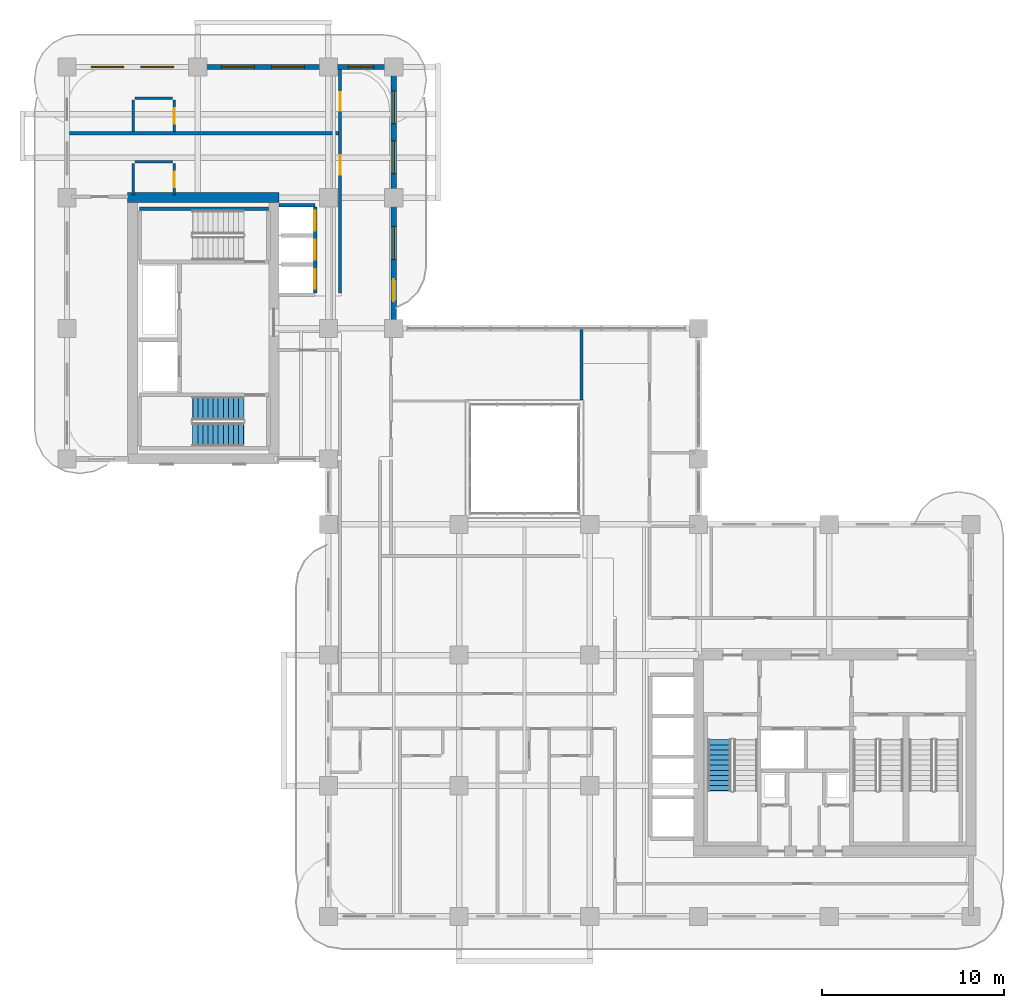
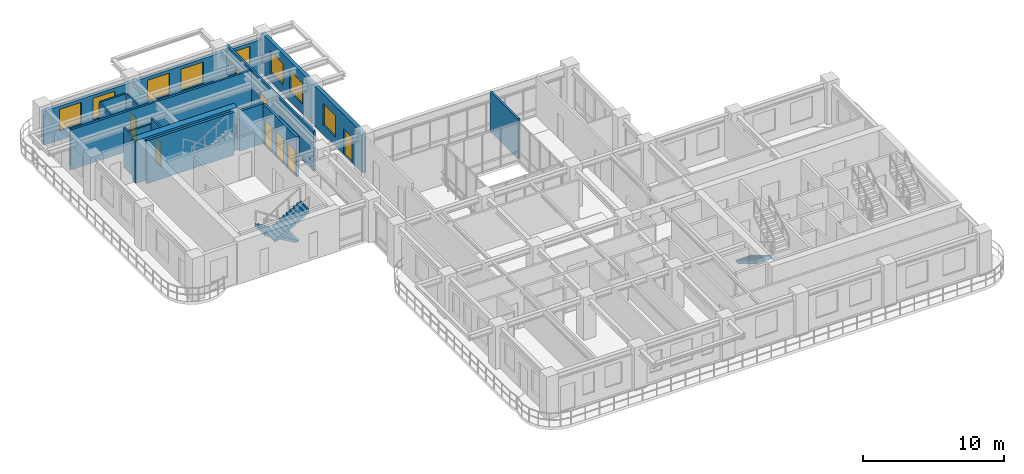
# One storey, part 15 of 20: 15 walls, 8 doors, 8 windows, 3 stair flights, 16 openings, 2 elements without a shape of their own.
"""IFC4 building model written with IfcOpenShell, lengths in metres."""

from ifc_helpers import new_model, si_unit, derived_unit, direction, frame, frame_2d, origin, place, context, subcontext, project, spatial, polyline, rectangle, outline, extrude, source, transform, mapped, material, layer, layer_set, type_object, type_shapes, element, fill, aggregate, save


model = new_model("IFC4")

# Units and contexts
model_context = context("Model", 3, precision=1e-05, world=origin(), true_north=direction((0.0, 1.0)))
body_context = subcontext(model_context, "Body", "Model", "MODEL_VIEW")
ifc_project = project(units=[si_unit("LENGTHUNIT", "METRE"), si_unit("AREAUNIT", "SQUARE_METRE"), si_unit("VOLUMEUNIT", "CUBIC_METRE"), si_unit("PLANEANGLEUNIT", "RADIAN"), si_unit("MASSUNIT", "GRAM", prefix="KILO"), si_unit("THERMODYNAMICTEMPERATUREUNIT", "KELVIN"), si_unit("POWERUNIT", "WATT"), derived_unit("THERMALTRANSMITTANCEUNIT", [(si_unit("POWERUNIT", "WATT"), 1), (si_unit("AREAUNIT", "SQUARE_METRE"), -1), (si_unit("THERMODYNAMICTEMPERATUREUNIT", "KELVIN"), -1)])], contexts=[model_context])

# Site, building, storey
site_placement = place(None, origin())
site = spatial("IfcSite", under=ifc_project, at=site_placement, CompositionType="ELEMENT")
building_placement = place(site_placement, origin())
building = spatial("IfcBuilding", under=site, at=building_placement, Name="Zahravan Archway Hotel and Residences", CompositionType="ELEMENT")
storey_placement = place(building_placement, frame((0.0, 0.0, 126.60009765625)))
storey = spatial("IfcBuildingStorey", under=building, at=storey_placement, Name="L31", CompositionType="ELEMENT", Elevation=126.60009765625)

# Wall
ifc_material_1 = material(Name="Concrete C70/85", Category="concrete")
ifc_layer_1 = layer(ifc_material_1, 0.550048828125, Name="Concrete C70/85", Category="concrete")
ifc_layer_set_1 = layer_set([ifc_layer_1], Name="Concrete C70/85")
wall_type_1 = type_object("IfcWallType", Name="CW-CORE-550", PredefinedType="SHEAR", material=ifc_layer_set_1)
wall_1_placement = place(storey_placement, frame((3.324951171875, 39.60009765625, 0.0), z_axis=(0.0, 0.0, 1.0), x_axis=(1.0, 0.0, 0.0)))
element("IfcWall", 1, at=wall_1_placement, inside=storey, type_object=wall_type_1, Name="L31 Core B Shear N Wall 550 mm", PredefinedType="SHEAR", context=body_context, shape_type="SweptSolid", body=[
    extrude(rectangle(XDim=8.35009765625, YDim=0.550048828125, at=frame_2d((4.175048828125, 0.0))), origin(), (0.0, 0.0, 1.0), 3.699951171875),
])

# Wall, openings, windows
ifc_material_2 = material(Name="Honed Red-Ochre Sandstone & Insulated Block", Category="masonry")
ifc_layer_2 = layer(ifc_material_2, 0.280029296875, Name="Honed Red-Ochre Sandstone & Insulated Block", Category="masonry")
ifc_layer_set_2 = layer_set([ifc_layer_2], Name="Honed Red-Ochre Sandstone & Insulated Block")
wall_type_2 = type_object("IfcWallType", Name="EW-LOG-280", PredefinedType="SOLIDWALL", material=ifc_layer_set_2)
wall_2_placement = place(storey_placement, frame((0.0, 46.800048828125, 0.0), z_axis=(0.0, 0.0, 1.0), x_axis=(1.0, 0.0, 0.0)))
wall_2 = element("IfcWall", 2, at=wall_2_placement, inside=storey, type_object=wall_type_2, Name="L31 Exterior Sandstone Wall WB-N", PredefinedType="SOLIDWALL", context=body_context, shape_type="SweptSolid", body=[
    extrude(rectangle(XDim=18.0, YDim=0.280029296875, at=frame_2d((9.0, 0.0))), origin(), (0.0, 0.0, 1.0), 2.934814453125),
])
opening_1_placement = place(wall_2_placement, frame((1.324951171875, 0.0, 0.800048828125)))
opening_1 = element("IfcOpeningElement", 3, at=opening_1_placement, cuts=wall_2, Name="Opening W-02", PredefinedType="OPENING", context=body_context, shape_type="SweptSolid", body=[
    extrude(rectangle(XDim=1.800048828125, YDim=1.85009765625, at=frame_2d((0.89990234375, 0.925048828125))), frame((0.0, 0.14990234375, 0.0), z_axis=(0.0, -1.0, 0.0), x_axis=(1.0, 0.0, 0.0)), (0.0, 0.0, 1.0), 0.300048828125),
])
opening_2_placement = place(wall_2_placement, frame((4.074951171875, 0.0, 0.800048828125)))
opening_2 = element("IfcOpeningElement", 4, at=opening_2_placement, cuts=wall_2, Name="Opening W-02", PredefinedType="OPENING", context=body_context, shape_type="SweptSolid", body=[
    extrude(rectangle(XDim=1.800048828125, YDim=1.85009765625, at=frame_2d((0.89990234375, 0.925048828125))), frame((0.0, 0.14990234375, 0.0), z_axis=(0.0, -1.0, 0.0), x_axis=(1.0, 0.0, 0.0)), (0.0, 0.0, 1.0), 0.300048828125),
])
opening_3_placement = place(wall_2_placement, frame((8.52490234375, 0.0, 0.800048828125)))
opening_3 = element("IfcOpeningElement", 5, at=opening_3_placement, cuts=wall_2, Name="Opening W-02", PredefinedType="OPENING", context=body_context, shape_type="SweptSolid", body=[
    extrude(rectangle(XDim=1.800048828125, YDim=1.85009765625, at=frame_2d((0.89990234375, 0.925048828125))), frame((0.0, 0.14990234375, 0.0), z_axis=(0.0, -1.0, 0.0), x_axis=(1.0, 0.0, 0.0)), (0.0, 0.0, 1.0), 0.300048828125),
])
opening_4_placement = place(wall_2_placement, frame((11.27490234375, 0.0, 0.800048828125)))
opening_4 = element("IfcOpeningElement", 6, at=opening_4_placement, cuts=wall_2, Name="Opening W-02", PredefinedType="OPENING", context=body_context, shape_type="SweptSolid", body=[
    extrude(rectangle(XDim=1.800048828125, YDim=1.85009765625, at=frame_2d((0.89990234375, 0.925048828125))), frame((0.0, 0.14990234375, 0.0), z_axis=(0.0, -1.0, 0.0), x_axis=(1.0, 0.0, 0.0)), (0.0, 0.0, 1.0), 0.300048828125),
])
opening_5_placement = place(wall_2_placement, frame((15.5, 0.0, 0.800048828125)))
opening_5 = element("IfcOpeningElement", 7, at=opening_5_placement, cuts=wall_2, Name="Opening W-03", PredefinedType="OPENING", context=body_context, shape_type="SweptSolid", body=[
    extrude(rectangle(XDim=1.39990234375, YDim=1.85009765625, at=frame_2d((0.699951171875, 0.925048828125))), frame((0.0, 0.14990234375, 0.0), z_axis=(0.0, -1.0, 0.0), x_axis=(1.0, 0.0, 0.0)), (0.0, 0.0, 1.0), 0.300048828125),
])
ifc_material_3 = material(Name="Bronze-Anodized Thermal-Break Aluminium & Low-E Glass", Category="aluminium")
window_type_1 = type_object("IfcWindowType", Name="WIN-TWR-1400", PartitioningType="SINGLE_PANEL", PredefinedType="WINDOW", material=ifc_material_3)
shared_shape_1 = source(origin(), body_context, "Body", "SweptSolid", [
    extrude(rectangle(XDim=1.39990234375, YDim=1.85009765625, at=frame_2d((0.699951171875, 0.925048828125))), frame((0.0, 0.030029296875, 0.0), z_axis=(0.0, -1.0, 0.0), x_axis=(1.0, 0.0, 0.0)), (0.0, 0.0, 1.0), 0.06005859375),
])
type_shapes(window_type_1, [shared_shape_1])
window_1_placement = place(opening_5_placement, origin())
window_1 = element("IfcWindow", 8, at=window_1_placement, inside=storey, type_object=window_type_1, Name="L31 Loggia Window 31", OverallHeight=1.85009765625, OverallWidth=1.39990234375, PartitioningType="SINGLE_PANEL", PredefinedType="WINDOW", context=body_context, shape_type="MappedRepresentation", body=[
    mapped(shared_shape_1, transform((0.0, 0.0, 0.0), scale=1.0)),
])
fill(opening_5, window_1)
window_type_2 = type_object("IfcWindowType", Name="WIN-TWR-1800", PartitioningType="DOUBLE_PANEL_VERTICAL", PredefinedType="WINDOW", material=ifc_material_3)
shared_shape_2 = source(origin(), body_context, "Body", "SweptSolid", [
    extrude(rectangle(XDim=1.800048828125, YDim=1.85009765625, at=frame_2d((0.89990234375, 0.925048828125))), frame((0.0, 0.030029296875, 0.0), z_axis=(0.0, -1.0, 0.0), x_axis=(1.0, 0.0, 0.0)), (0.0, 0.0, 1.0), 0.06005859375),
])
type_shapes(window_type_2, [shared_shape_2])
window_2_placement = place(opening_1_placement, origin())
window_2 = element("IfcWindow", 9, at=window_2_placement, inside=storey, type_object=window_type_2, Name="L31 Loggia Window 27", OverallHeight=1.85009765625, OverallWidth=1.800048828125, PartitioningType="DOUBLE_PANEL_VERTICAL", PredefinedType="WINDOW", context=body_context, shape_type="MappedRepresentation", body=[
    mapped(shared_shape_2, transform((0.0, 0.0, 0.0), scale=1.0)),
])
fill(opening_1, window_2)
window_3_placement = place(opening_2_placement, origin())
window_3 = element("IfcWindow", 10, at=window_3_placement, inside=storey, type_object=window_type_2, Name="L31 Loggia Window 28", OverallHeight=1.85009765625, OverallWidth=1.800048828125, PartitioningType="DOUBLE_PANEL_VERTICAL", PredefinedType="WINDOW", context=body_context, shape_type="MappedRepresentation", body=[
    mapped(shared_shape_2, transform((0.0, 0.0, 0.0), scale=1.0)),
])
fill(opening_2, window_3)
window_4_placement = place(opening_3_placement, origin())
window_4 = element("IfcWindow", 11, at=window_4_placement, inside=storey, type_object=window_type_2, Name="L31 Loggia Window 29", OverallHeight=1.85009765625, OverallWidth=1.800048828125, PartitioningType="DOUBLE_PANEL_VERTICAL", PredefinedType="WINDOW", context=body_context, shape_type="MappedRepresentation", body=[
    mapped(shared_shape_2, transform((0.0, 0.0, 0.0), scale=1.0)),
])
fill(opening_3, window_4)
window_5_placement = place(opening_4_placement, origin())
window_5 = element("IfcWindow", 12, at=window_5_placement, inside=storey, type_object=window_type_2, Name="L31 Loggia Window 30", OverallHeight=1.85009765625, OverallWidth=1.800048828125, PartitioningType="DOUBLE_PANEL_VERTICAL", PredefinedType="WINDOW", context=body_context, shape_type="MappedRepresentation", body=[
    mapped(shared_shape_2, transform((0.0, 0.0, 0.0), scale=1.0)),
])
fill(opening_4, window_5)

# Wall, openings, door, windows
wall_3_placement = place(storey_placement, frame((18.0, 32.39990234375, 0.0), z_axis=(0.0, 0.0, 1.0), x_axis=(0.0, 1.0, 0.0)))
wall_3 = element("IfcWall", 13, at=wall_3_placement, inside=storey, type_object=wall_type_2, Name="L31 Exterior Sandstone Wall WB-EU", PredefinedType="SOLIDWALL", context=body_context, shape_type="SweptSolid", body=[
    extrude(rectangle(XDim=14.35009765625, YDim=0.280029296875, at=frame_2d((7.175048828125, 0.0))), origin(), (0.0, 0.0, 1.0), 3.449951171875),
])
opening_6_placement = place(wall_3_placement, frame((1.5, 0.0, 0.0)))
opening_6 = element("IfcOpeningElement", 14, at=opening_6_placement, cuts=wall_3, Name="Opening ED-BL1", PredefinedType="OPENING", context=body_context, shape_type="SweptSolid", body=[
    extrude(rectangle(XDim=1.199951171875, YDim=2.199951171875, at=frame_2d((0.60009765625, 1.10009765625))), frame((0.0, 0.14990234375, 0.0), z_axis=(0.0, -1.0, 0.0), x_axis=(1.0, 0.0, 0.0)), (0.0, 0.0, 1.0), 0.300048828125),
])
opening_7_placement = place(wall_3_placement, frame((3.800048828125, 0.0, 0.800048828125)))
opening_7 = element("IfcOpeningElement", 15, at=opening_7_placement, cuts=wall_3, Name="Opening W-02", PredefinedType="OPENING", context=body_context, shape_type="SweptSolid", body=[
    extrude(rectangle(XDim=1.800048828125, YDim=1.85009765625, at=frame_2d((0.89990234375, 0.925048828125))), frame((0.0, 0.14990234375, 0.0), z_axis=(0.0, -1.0, 0.0), x_axis=(1.0, 0.0, 0.0)), (0.0, 0.0, 1.0), 0.300048828125),
])
opening_8_placement = place(wall_3_placement, frame((8.52490234375, 0.0, 0.800048828125)))
opening_8 = element("IfcOpeningElement", 16, at=opening_8_placement, cuts=wall_3, Name="Opening W-02", PredefinedType="OPENING", context=body_context, shape_type="SweptSolid", body=[
    extrude(rectangle(XDim=1.800048828125, YDim=1.85009765625, at=frame_2d((0.89990234375, 0.925048828125))), frame((0.0, 0.14990234375, 0.0), z_axis=(0.0, -1.0, 0.0), x_axis=(1.0, 0.0, 0.0)), (0.0, 0.0, 1.0), 0.300048828125),
])
opening_9_placement = place(wall_3_placement, frame((11.27490234375, 0.0, 0.800048828125)))
opening_9 = element("IfcOpeningElement", 17, at=opening_9_placement, cuts=wall_3, Name="Opening W-02", PredefinedType="OPENING", context=body_context, shape_type="SweptSolid", body=[
    extrude(rectangle(XDim=1.800048828125, YDim=1.85009765625, at=frame_2d((0.89990234375, 0.925048828125))), frame((0.0, 0.14990234375, 0.0), z_axis=(0.0, -1.0, 0.0), x_axis=(1.0, 0.0, 0.0)), (0.0, 0.0, 1.0), 0.300048828125),
])
ifc_material_4 = material(Name="Bronze-Anodized Glazed Aluminium", Category="aluminium")
door_type_1 = type_object("IfcDoorType", Name="ED-BALC-1200", OperationType="SLIDING_TO_LEFT", PredefinedType="DOOR", material=ifc_material_4)
shared_shape_3 = source(origin(), body_context, "Body", "SweptSolid", [
    extrude(rectangle(XDim=1.199951171875, YDim=2.199951171875, at=frame_2d((0.60009765625, 1.10009765625))), frame((0.0, 0.02490234375, 0.0), z_axis=(0.0, -1.0, 0.0), x_axis=(1.0, 0.0, 0.0)), (0.0, 0.0, 1.0), 0.050048828125),
])
type_shapes(door_type_1, [shared_shape_3])
door_1_placement = place(opening_6_placement, origin())
door_1 = element("IfcDoor", 18, at=door_1_placement, inside=storey, type_object=door_type_1, Name="L31 Outdoor Access Sliding Door (SLB-BAL-L31-EB)", OperationType="SLIDING_TO_LEFT", OverallHeight=2.199951171875, OverallWidth=1.199951171875, PredefinedType="DOOR", context=body_context, shape_type="MappedRepresentation", body=[
    mapped(shared_shape_3, transform((0.0, 0.0, 0.0), scale=1.0)),
])
fill(opening_6, door_1)
window_6_placement = place(opening_7_placement, origin())
window_6 = element("IfcWindow", 19, at=window_6_placement, inside=storey, type_object=window_type_2, Name="L31 Loggia Window 32", OverallHeight=1.85009765625, OverallWidth=1.800048828125, PartitioningType="DOUBLE_PANEL_VERTICAL", PredefinedType="WINDOW", context=body_context, shape_type="MappedRepresentation", body=[
    mapped(shared_shape_2, transform((0.0, 0.0, 0.0), scale=1.0)),
])
fill(opening_7, window_6)
window_7_placement = place(opening_8_placement, origin())
window_7 = element("IfcWindow", 20, at=window_7_placement, inside=storey, type_object=window_type_2, Name="L31 Loggia Window 33", OverallHeight=1.85009765625, OverallWidth=1.800048828125, PartitioningType="DOUBLE_PANEL_VERTICAL", PredefinedType="WINDOW", context=body_context, shape_type="MappedRepresentation", body=[
    mapped(shared_shape_2, transform((0.0, 0.0, 0.0), scale=1.0)),
])
fill(opening_8, window_7)
window_8_placement = place(opening_9_placement, origin())
window_8 = element("IfcWindow", 21, at=window_8_placement, inside=storey, type_object=window_type_2, Name="L31 Loggia Window 34", OverallHeight=1.85009765625, OverallWidth=1.800048828125, PartitioningType="DOUBLE_PANEL_VERTICAL", PredefinedType="WINDOW", context=body_context, shape_type="MappedRepresentation", body=[
    mapped(shared_shape_2, transform((0.0, 0.0, 0.0), scale=1.0)),
])
fill(opening_9, window_8)

# Wall, openings, doors
ifc_material_5 = material(Name="Fire-Rated Gypsum & Concrete Block", Category="concrete")
ifc_layer_3 = layer(ifc_material_5, 0.159912109375, Name="Fire-Rated Gypsum & Concrete Block", Category="concrete")
ifc_layer_set_3 = layer_set([ifc_layer_3], Name="Fire-Rated Gypsum & Concrete Block")
wall_type_3 = type_object("IfcWallType", Name="PW-CORR-160", PredefinedType="PARTITIONING", material=ifc_layer_set_3)
wall_4_placement = place(storey_placement, frame((15.050048828125, 34.340087890625, 0.0), z_axis=(0.0, 0.0, 1.0), x_axis=(0.0, 1.0, 0.0)))
wall_4 = element("IfcWall", 22, at=wall_4_placement, inside=storey, type_object=wall_type_3, Name="L31 Partition WBN-C", PredefinedType="PARTITIONING", context=body_context, shape_type="SweptSolid", body=[
    extrude(rectangle(XDim=12.31201171875, YDim=0.159912109375, at=frame_2d((6.156005859375, 0.0))), origin(), (0.0, 0.0, 1.0), 3.449951171875),
])
opening_10_placement = place(wall_4_placement, frame((6.534912109375, 0.0, 0.0)))
opening_10 = element("IfcOpeningElement", 23, at=opening_10_placement, cuts=wall_4, Name="Opening D-U1", PredefinedType="OPENING", context=body_context, shape_type="SweptSolid", body=[
    extrude(rectangle(XDim=1.050048828125, YDim=2.25, at=frame_2d((0.52490234375, 1.125))), frame((0.0, 0.08984375, 0.0), z_axis=(0.0, -1.0, 0.0), x_axis=(1.0, 0.0, 0.0)), (0.0, 0.0, 1.0), 0.179931640625),
])
opening_11_placement = place(wall_4_placement, frame((10.06005859375, 0.0, 0.0)))
opening_11 = element("IfcOpeningElement", 24, at=opening_11_placement, cuts=wall_4, Name="Opening D-U2", PredefinedType="OPENING", context=body_context, shape_type="SweptSolid", body=[
    extrude(rectangle(XDim=1.0, YDim=2.199951171875, at=frame_2d((0.5, 1.10009765625))), frame((0.0, 0.08984375, 0.0), z_axis=(0.0, -1.0, 0.0), x_axis=(1.0, 0.0, 0.0)), (0.0, 0.0, 1.0), 0.179931640625),
])
ifc_material_6 = material(Name="Hardwood Veneer Timber", Category="wood")
door_type_2 = type_object("IfcDoorType", Name="ID-UNIT-1050", OperationType="NOTDEFINED", PredefinedType="DOOR", material=ifc_material_6)
shared_shape_4 = source(origin(), body_context, "Body", "SweptSolid", [
    extrude(rectangle(XDim=1.050048828125, YDim=2.25, at=frame_2d((0.52490234375, 1.125))), frame((0.0, 0.02490234375, 0.0), z_axis=(0.0, -1.0, 0.0), x_axis=(1.0, 0.0, 0.0)), (0.0, 0.0, 1.0), 0.050048828125),
])
type_shapes(door_type_2, [shared_shape_4])
door_2_placement = place(opening_10_placement, origin())
door_2 = element("IfcDoor", 25, at=door_2_placement, inside=storey, type_object=door_type_2, Name="L31 Hotel Guestroom 76 Entrance Door", OperationType="SINGLE_SWING_RIGHT", OverallHeight=2.25, OverallWidth=1.050048828125, PredefinedType="DOOR", context=body_context, shape_type="MappedRepresentation", body=[
    mapped(shared_shape_4, transform((0.0, 0.0, 0.0), scale=1.0)),
])
fill(opening_10, door_2)
door_type_3 = type_object("IfcDoorType", Name="ID-UNIT-1000", OperationType="NOTDEFINED", PredefinedType="DOOR", material=ifc_material_6)
shared_shape_5 = source(origin(), body_context, "Body", "SweptSolid", [
    extrude(rectangle(XDim=1.0, YDim=2.199951171875, at=frame_2d((0.5, 1.10009765625))), frame((0.0, 0.02490234375, 0.0), z_axis=(0.0, -1.0, 0.0), x_axis=(1.0, 0.0, 0.0)), (0.0, 0.0, 1.0), 0.050048828125),
])
type_shapes(door_type_3, [shared_shape_5])
door_3_placement = place(opening_11_placement, origin())
door_3 = element("IfcDoor", 26, at=door_3_placement, inside=storey, type_object=door_type_3, Name="L31 Hotel Guestroom 77 Entrance Door", OperationType="SINGLE_SWING_LEFT", OverallHeight=2.199951171875, OverallWidth=1.0, PredefinedType="DOOR", context=body_context, shape_type="MappedRepresentation", body=[
    mapped(shared_shape_5, transform((0.0, 0.0, 0.0), scale=1.0)),
])
fill(opening_11, door_3)

# Walls
wall_5_placement = place(storey_placement, frame((28.35009765625, 28.43994140625, 0.0), z_axis=(0.0, 0.0, 1.0), x_axis=(0.0, 1.0, 0.0)))
element("IfcWall", 27, at=wall_5_placement, inside=storey, type_object=wall_type_3, Name="L31 Partition ATR-NWE", PredefinedType="PARTITIONING", context=body_context, shape_type="SweptSolid", body=[
    extrude(rectangle(XDim=3.93212890625, YDim=0.159912109375, at=frame_2d((1.966064453125, 0.0))), origin(), (0.0, 0.0, 1.0), 3.449951171875),
])
ifc_layer_4 = layer(ifc_material_5, 0.199951171875, Name="Fire-Rated Gypsum & Concrete Block", Category="concrete")
ifc_layer_set_4 = layer_set([ifc_layer_4], Name="Fire-Rated Gypsum & Concrete Block")
wall_type_4 = type_object("IfcWallType", Name="PW-SHAFT-200", PredefinedType="PARTITIONING", material=ifc_layer_set_4)
wall_6_placement = place(storey_placement, frame((11.68505859375, 39.18994140625, 0.0), z_axis=(0.0, 0.0, 1.0), x_axis=(1.0, 0.0, 0.0)))
element("IfcWall", 28, at=wall_6_placement, inside=storey, type_object=wall_type_4, Name="L31 Partition B2-N", PredefinedType="PARTITIONING", context=body_context, shape_type="SweptSolid", body=[
    extrude(rectangle(XDim=1.98486328125, YDim=0.199951171875, at=frame_2d((0.992431640625, 0.0))), origin(), (0.0, 0.0, 1.0), 3.449951171875),
])

# Wall, openings, doors
wall_7_placement = place(storey_placement, frame((13.679931640625, 34.360107421875, 0.0), z_axis=(0.0, 0.0, 1.0), x_axis=(0.0, 1.0, 0.0)))
wall_7 = element("IfcWall", 29, at=wall_7_placement, inside=storey, type_object=wall_type_4, Name="L31 Partition B2-E", PredefinedType="PARTITIONING", context=body_context, shape_type="SweptSolid", body=[
    extrude(rectangle(XDim=4.719970703125, YDim=0.199951171875, at=frame_2d((2.35986328125, 0.0))), origin(), (0.0, 0.0, 1.0), 3.449951171875),
])
opening_12_placement = place(wall_7_placement, frame((0.2099609375, 0.0, 0.0)))
opening_12 = element("IfcOpeningElement", 30, at=opening_12_placement, cuts=wall_7, Name="Opening LD", PredefinedType="OPENING", context=body_context, shape_type="SweptSolid", body=[
    extrude(rectangle(XDim=1.10009765625, YDim=2.199951171875, at=frame_2d((0.550048828125, 1.10009765625))), frame((0.0, 0.10986328125, 0.0), z_axis=(0.0, -1.0, 0.0), x_axis=(1.0, 0.0, 0.0)), (0.0, 0.0, 1.0), 0.219970703125),
])
opening_13_placement = place(wall_7_placement, frame((1.81005859375, 0.0, 0.0)))
opening_13 = element("IfcOpeningElement", 31, at=opening_13_placement, cuts=wall_7, Name="Opening LD", PredefinedType="OPENING", context=body_context, shape_type="SweptSolid", body=[
    extrude(rectangle(XDim=1.10009765625, YDim=2.199951171875, at=frame_2d((0.550048828125, 1.10009765625))), frame((0.0, 0.10986328125, 0.0), z_axis=(0.0, -1.0, 0.0), x_axis=(1.0, 0.0, 0.0)), (0.0, 0.0, 1.0), 0.219970703125),
])
opening_14_placement = place(wall_7_placement, frame((3.409912109375, 0.0, 0.0)))
opening_14 = element("IfcOpeningElement", 32, at=opening_14_placement, cuts=wall_7, Name="Opening LD", PredefinedType="OPENING", context=body_context, shape_type="SweptSolid", body=[
    extrude(rectangle(XDim=1.10009765625, YDim=2.199951171875, at=frame_2d((0.550048828125, 1.10009765625))), frame((0.0, 0.10986328125, 0.0), z_axis=(0.0, -1.0, 0.0), x_axis=(1.0, 0.0, 0.0)), (0.0, 0.0, 1.0), 0.219970703125),
])
ifc_material_7 = material(Name="Brushed Stainless Steel", Category="steel")
door_type_4 = type_object("IfcDoorType", Name="DR-LIFT-LD", OperationType="SLIDING_TO_LEFT", PredefinedType="DOOR", material=ifc_material_7)
shared_shape_6 = source(origin(), body_context, "Body", "SweptSolid", [
    extrude(rectangle(XDim=1.10009765625, YDim=2.199951171875, at=frame_2d((0.550048828125, 1.10009765625))), frame((0.0, 0.02490234375, 0.0), z_axis=(0.0, -1.0, 0.0), x_axis=(1.0, 0.0, 0.0)), (0.0, 0.0, 1.0), 0.050048828125),
])
type_shapes(door_type_4, [shared_shape_6])
door_4_placement = place(opening_12_placement, origin())
door_4 = element("IfcDoor", 33, at=door_4_placement, inside=storey, type_object=door_type_4, Name="L31 Lift LP-4 Sliding Landing Door", OperationType="SLIDING_TO_LEFT", OverallHeight=2.199951171875, OverallWidth=1.10009765625, PredefinedType="DOOR", context=body_context, shape_type="MappedRepresentation", body=[
    mapped(shared_shape_6, transform((0.0, 0.0, 0.0), scale=1.0)),
])
fill(opening_12, door_4)
door_5_placement = place(opening_13_placement, origin())
door_5 = element("IfcDoor", 34, at=door_5_placement, inside=storey, type_object=door_type_4, Name="L31 Lift LP-5 Sliding Landing Door", OperationType="SLIDING_TO_LEFT", OverallHeight=2.199951171875, OverallWidth=1.10009765625, PredefinedType="DOOR", context=body_context, shape_type="MappedRepresentation", body=[
    mapped(shared_shape_6, transform((0.0, 0.0, 0.0), scale=1.0)),
])
fill(opening_13, door_5)
door_6_placement = place(opening_14_placement, origin())
door_6 = element("IfcDoor", 35, at=door_6_placement, inside=storey, type_object=door_type_4, Name="L31 Lift LP-6 Sliding Landing Door", OperationType="SLIDING_TO_LEFT", OverallHeight=2.199951171875, OverallWidth=1.10009765625, PredefinedType="DOOR", context=body_context, shape_type="MappedRepresentation", body=[
    mapped(shared_shape_6, transform((0.0, 0.0, 0.0), scale=1.0)),
])
fill(opening_14, door_6)

# Walls
ifc_material_8 = material(Name="Acoustic Stud Partition")
ifc_layer_5 = layer(ifc_material_8, 0.169921875, Name="Acoustic Stud Partition")
ifc_layer_set_5 = layer_set([ifc_layer_5], Name="Acoustic Stud Partition")
wall_type_5 = type_object("IfcWallType", Name="PW-UNIT-170", PredefinedType="PARTITIONING", material=ifc_layer_set_5)
wall_8_placement = place(storey_placement, frame((0.14794921875, 43.14990234375, 0.0), z_axis=(0.0, 0.0, 1.0), x_axis=(1.0, 0.0, 0.0)))
element("IfcWall", 36, at=wall_8_placement, inside=storey, type_object=wall_type_5, Name="L31 Partition WBN-M0", PredefinedType="PARTITIONING", context=body_context, shape_type="SweptSolid", body=[
    extrude(rectangle(XDim=14.81201171875, YDim=0.169921875, at=frame_2d((7.406005859375, 0.0))), origin(), (0.0, 0.0, 1.0), 3.449951171875),
])
ifc_material_9 = material(Name="Moisture-Resistant Blockwork", Category="masonry")
ifc_layer_6 = layer(ifc_material_9, 0.139892578125, Name="Moisture-Resistant Blockwork", Category="masonry")
ifc_layer_set_6 = layer_set([ifc_layer_6], Name="Moisture-Resistant Blockwork")
wall_type_6 = type_object("IfcWallType", Name="PW-WET-140", PredefinedType="PARTITIONING", material=ifc_layer_set_6)
wall_9_placement = place(storey_placement, frame((3.64990234375, 39.739990234375, 0.0), z_axis=(0.0, 0.0, 1.0), x_axis=(0.0, 1.0, 0.0)))
element("IfcWall", 37, at=wall_9_placement, inside=storey, type_object=wall_type_6, Name="L31 Partition HKB-VL76", PredefinedType="PARTITIONING", context=body_context, shape_type="SweptSolid", body=[
    extrude(rectangle(XDim=1.7451171875, YDim=0.139892578125, at=frame_2d((0.87255859375, 0.0))), origin(), (0.0, 0.0, 1.0), 3.449951171875),
])
wall_10_placement = place(storey_placement, frame((3.739990234375, 41.574951171875, 0.0), z_axis=(0.0, 0.0, 1.0), x_axis=(1.0, 0.0, 0.0)))
element("IfcWall", 38, at=wall_10_placement, inside=storey, type_object=wall_type_6, Name="L31 Partition HKB-H76", PredefinedType="PARTITIONING", context=body_context, shape_type="SweptSolid", body=[
    extrude(rectangle(XDim=2.070068359375, YDim=0.139892578125, at=frame_2d((1.03515625, 0.0))), origin(), (0.0, 0.0, 1.0), 2.934814453125),
])

# Wall, opening, door
wall_11_placement = place(storey_placement, frame((5.89990234375, 39.739990234375, 0.0), z_axis=(0.0, 0.0, 1.0), x_axis=(0.0, 1.0, 0.0)))
wall_11 = element("IfcWall", 39, at=wall_11_placement, inside=storey, type_object=wall_type_6, Name="L31 Partition HKB-V76", PredefinedType="PARTITIONING", context=body_context, shape_type="SweptSolid", body=[
    extrude(rectangle(XDim=1.7451171875, YDim=0.139892578125, at=frame_2d((0.87255859375, 0.0))), origin(), (0.0, 0.0, 1.0), 3.449951171875),
])
opening_15_placement = place(wall_11_placement, frame((0.447509765625, 0.0, 0.0)))
opening_15 = element("IfcOpeningElement", 40, at=opening_15_placement, cuts=wall_11, Name="Opening D-B1", PredefinedType="OPENING", context=body_context, shape_type="SweptSolid", body=[
    extrude(rectangle(XDim=0.85009765625, YDim=2.10009765625, at=frame_2d((0.425048828125, 1.050048828125))), frame((0.0, 0.080078125, 0.0), z_axis=(0.0, -1.0, 0.0), x_axis=(1.0, 0.0, 0.0)), (0.0, 0.0, 1.0), 0.159912109375),
])
door_type_5 = type_object("IfcDoorType", Name="ID-BATH-850", OperationType="NOTDEFINED", PredefinedType="DOOR", material=ifc_material_6)
shared_shape_7 = source(origin(), body_context, "Body", "SweptSolid", [
    extrude(rectangle(XDim=0.85009765625, YDim=2.10009765625, at=frame_2d((0.425048828125, 1.050048828125))), frame((0.0, 0.02490234375, 0.0), z_axis=(0.0, -1.0, 0.0), x_axis=(1.0, 0.0, 0.0)), (0.0, 0.0, 1.0), 0.050048828125),
])
type_shapes(door_type_5, [shared_shape_7])
door_7_placement = place(opening_15_placement, origin())
door_7 = element("IfcDoor", 41, at=door_7_placement, inside=storey, type_object=door_type_5, Name="L31 Guestroom 76 En-Suite Door", OperationType="SINGLE_SWING_LEFT", OverallHeight=2.10009765625, OverallWidth=0.85009765625, PredefinedType="DOOR", context=body_context, shape_type="MappedRepresentation", body=[
    mapped(shared_shape_7, transform((0.0, 0.0, 0.0), scale=1.0)),
])
fill(opening_15, door_7)

# Walls
wall_12_placement = place(storey_placement, frame((3.64990234375, 43.239990234375, 0.0), z_axis=(0.0, 0.0, 1.0), x_axis=(0.0, 1.0, 0.0)))
element("IfcWall", 42, at=wall_12_placement, inside=storey, type_object=wall_type_6, Name="L31 Partition HKB-VL77", PredefinedType="PARTITIONING", context=body_context, shape_type="SweptSolid", body=[
    extrude(rectangle(XDim=1.7451171875, YDim=0.139892578125, at=frame_2d((0.87255859375, 0.0))), origin(), (0.0, 0.0, 1.0), 3.449951171875),
])
wall_13_placement = place(storey_placement, frame((3.739990234375, 45.074951171875, 0.0), z_axis=(0.0, 0.0, 1.0), x_axis=(1.0, 0.0, 0.0)))
element("IfcWall", 43, at=wall_13_placement, inside=storey, type_object=wall_type_6, Name="L31 Partition HKB-H77", PredefinedType="PARTITIONING", context=body_context, shape_type="SweptSolid", body=[
    extrude(rectangle(XDim=2.070068359375, YDim=0.139892578125, at=frame_2d((1.03515625, 0.0))), origin(), (0.0, 0.0, 1.0), 3.449951171875),
])

# Wall, opening, door
wall_14_placement = place(storey_placement, frame((5.89990234375, 43.239990234375, 0.0), z_axis=(0.0, 0.0, 1.0), x_axis=(0.0, 1.0, 0.0)))
wall_14 = element("IfcWall", 44, at=wall_14_placement, inside=storey, type_object=wall_type_6, Name="L31 Partition HKB-V77", PredefinedType="PARTITIONING", context=body_context, shape_type="SweptSolid", body=[
    extrude(rectangle(XDim=1.7451171875, YDim=0.139892578125, at=frame_2d((0.87255859375, 0.0))), origin(), (0.0, 0.0, 1.0), 3.449951171875),
])
opening_16_placement = place(wall_14_placement, frame((0.447509765625, 0.0, 0.0)))
opening_16 = element("IfcOpeningElement", 45, at=opening_16_placement, cuts=wall_14, Name="Opening D-B1", PredefinedType="OPENING", context=body_context, shape_type="SweptSolid", body=[
    extrude(rectangle(XDim=0.85009765625, YDim=2.10009765625, at=frame_2d((0.425048828125, 1.050048828125))), frame((0.0, 0.080078125, 0.0), z_axis=(0.0, -1.0, 0.0), x_axis=(1.0, 0.0, 0.0)), (0.0, 0.0, 1.0), 0.159912109375),
])
door_8_placement = place(opening_16_placement, origin())
door_8 = element("IfcDoor", 46, at=door_8_placement, inside=storey, type_object=door_type_5, Name="L31 Guestroom 77 En-Suite Door", OperationType="SINGLE_SWING_LEFT", OverallHeight=2.10009765625, OverallWidth=0.85009765625, PredefinedType="DOOR", context=body_context, shape_type="MappedRepresentation", body=[
    mapped(shared_shape_7, transform((0.0, 0.0, 0.0), scale=1.0)),
])
fill(opening_16, door_8)

# Wall
ifc_material_10 = material(Name="Concrete C50/60", Category="concrete")
ifc_layer_7 = layer(ifc_material_10, 0.199951171875, Name="Concrete C50/60", Category="concrete")
ifc_layer_set_7 = layer_set([ifc_layer_7], Name="Concrete C50/60")
wall_type_7 = type_object("IfcWallType", Name="SW-STAIR-200", PredefinedType="SHEAR", material=ifc_layer_set_7)
wall_15_placement = place(storey_placement, frame((4.0, 39.0, 0.0), z_axis=(0.0, 0.0, 1.0), x_axis=(1.0, 0.0, 0.0)))
element("IfcWall", 47, at=wall_15_placement, inside=storey, type_object=wall_type_7, Name="L31 Stairwell RC Wall CB-SB2N", PredefinedType="SHEAR", context=body_context, shape_type="SweptSolid", body=[
    extrude(rectangle(XDim=7.10009765625, YDim=0.199951171875, at=frame_2d((3.550048828125, 0.0))), origin(), (0.0, 0.0, 1.0), 3.699951171875),
])

# Stair, stair flight
stair_type = type_object("IfcStairType", Name="STR-CORE-1300", PredefinedType="HALF_TURN_STAIR", material=ifc_material_10)
stair_1_placement = place(storey_placement, origin())
stair_1 = element("IfcStair", 48, at=stair_1_placement, inside=storey, type_object=stair_type, Name="L31 Core A Exit Stair 1", PredefinedType="HALF_TURN_STAIR")
ifc_layer_8 = layer(ifc_material_10, 0.199951171875, Name="Concrete C50/60", Category="concrete")
ifc_layer_set_8 = layer_set([ifc_layer_8], Name="Concrete C50/60")
stair_flight_type = type_object("IfcStairFlightType", Name="SFL-CORE-1300", PredefinedType="STRAIGHT", material=ifc_layer_set_8)
shared_shape_8 = source(origin(), body_context, "Body", "SweptSolid", [
    extrude(outline(polyline([(-0.01611328125, 0.0), (-0.01611328125, 0.168212890625), (0.280029296875, 0.168212890625), (0.280029296875, 0.33642578125), (0.56005859375, 0.33642578125), (0.56005859375, 0.504638671875), (0.840087890625, 0.504638671875), (0.840087890625, 0.672607421875), (1.1201171875, 0.672607421875), (1.1201171875, 0.8408203125), (1.39990234375, 0.8408203125), (1.39990234375, 1.009033203125), (1.679931640625, 1.009033203125), (1.679931640625, 1.17724609375), (1.9599609375, 1.17724609375), (1.9599609375, 1.345458984375), (2.239990234375, 1.345458984375), (2.239990234375, 1.513671875), (2.52001953125, 1.513671875), (2.52001953125, 1.681884765625), (2.800048828125, 1.681884765625), (2.800048828125, 1.85009765625), (2.816162109375, 1.85009765625), (2.816162109375, 1.5068359375), (0.291015625, 0.0), (-0.01611328125, 0.0)])), frame((0.0, 0.64990234375, 0.0), z_axis=(0.0, -1.0, 0.0), x_axis=(1.0, 0.0, 0.0)), (0.0, 0.0, 1.0), 1.300048828125),
])
stair_flight_1_placement = place(storey_placement, frame((35.949951171875, 9.72998046875, 0.0), z_axis=(0.0, 0.0, 1.0), x_axis=(0.0, -1.0, 0.0)))
stair_flight_1 = element("IfcStairFlight", 49, at=stair_flight_1_placement, type_object=stair_flight_type, Name="ST-A1 flight 1", NumberOfRisers=11, NumberOfTreads=10, PredefinedType="STRAIGHT", RiserHeight=0.168181818, TreadLength=0.28, context=body_context, shape_type="MappedRepresentation", body=[
    mapped(shared_shape_8, transform((0.0, 0.0, 0.0), scale=1.0)),
])
aggregate(stair_1, [stair_flight_1])

# Stair, stair flights
stair_2_placement = place(storey_placement, origin())
stair_2 = element("IfcStair", 50, at=stair_2_placement, inside=storey, type_object=stair_type, Name="L31 Core B Exit Stair 1", PredefinedType="HALF_TURN_STAIR")
stair_flight_2_placement = place(storey_placement, frame((9.72998046875, 27.989990234375, 0.0), z_axis=(0.0, 0.0, 1.0), x_axis=(-1.0, 0.0, 0.0)))
stair_flight_2 = element("IfcStairFlight", 51, at=stair_flight_2_placement, type_object=stair_flight_type, Name="ST-B1 flight 1", NumberOfRisers=11, NumberOfTreads=10, PredefinedType="STRAIGHT", RiserHeight=0.168181818, TreadLength=0.28, context=body_context, shape_type="MappedRepresentation", body=[
    mapped(shared_shape_8, transform((0.0, 0.0, 0.0), scale=1.0)),
])
stair_flight_3_placement = place(storey_placement, frame((6.929931640625, 26.550048828125, 1.849853515625), z_axis=(0.0, 0.0, 1.0), x_axis=(1.0, 0.0, 0.0)))
stair_flight_3 = element("IfcStairFlight", 52, at=stair_flight_3_placement, type_object=stair_flight_type, Name="ST-B1 flight 2", NumberOfRisers=11, NumberOfTreads=10, PredefinedType="STRAIGHT", RiserHeight=0.168181818, TreadLength=0.28, context=body_context, shape_type="MappedRepresentation", body=[
    mapped(shared_shape_8, transform((0.0, 0.0, 0.0), scale=1.0)),
])
aggregate(stair_2, [stair_flight_2, stair_flight_3])

save(model, "model.ifc")
